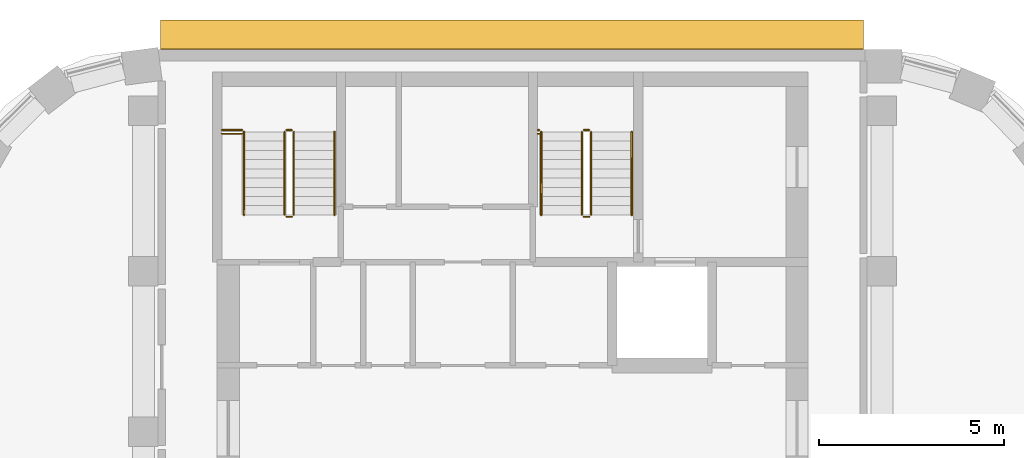
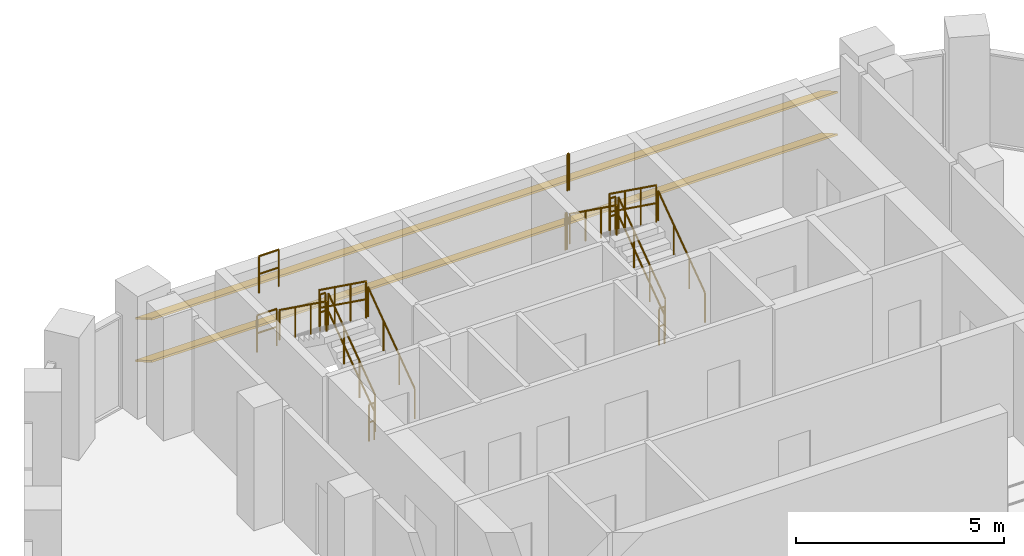
# One storey, part 15 of 15: 16 railings, 2 shading devices.
"""IFC4 building model written with IfcOpenShell, lengths in metres."""

from ifc_helpers import new_model, si_unit, direction, frame, origin, origin_2d, place, context, subcontext, project, spatial, rectangle, circle, extrude, material, material_profile, profile_set, type_object, element, save


model = new_model("IFC4")

# Units and contexts
model_context = context("Model", 3, precision=1e-05, world=origin(), true_north=direction((0.0, 1.0)))
body_context = subcontext(model_context, "Body", "Model", "MODEL_VIEW")
ifc_project = project(units=[si_unit("LENGTHUNIT", "METRE"), si_unit("AREAUNIT", "SQUARE_METRE"), si_unit("VOLUMEUNIT", "CUBIC_METRE"), si_unit("PLANEANGLEUNIT", "RADIAN"), si_unit("MASSUNIT", "GRAM", prefix="KILO")], contexts=[model_context])

# Site, building, storey
site_placement = place(None, origin())
site = spatial("IfcSite", under=ifc_project, at=site_placement, CompositionType="ELEMENT")
building_placement = place(site_placement, origin())
building = spatial("IfcBuilding", under=site, at=building_placement, Name="Nakaniwa Court", CompositionType="ELEMENT")
storey_placement = place(building_placement, frame((0.0, 0.0, 283.199951171875)))
storey = spatial("IfcBuildingStorey", under=building, at=storey_placement, Name="C04", CompositionType="ELEMENT", Elevation=283.199951171875)

# Shading devices
ifc_material_1 = material(Name="Perforated charcoal ceramic louvre blade")
ifc_material_profile = material_profile(ifc_material_1, rectangle(XDim=0.89990234375, YDim=0.050048828125, at=origin_2d()), Name="Perforated ceramic louvre blade")
ifc_profile_set = profile_set([ifc_material_profile], Name="Perforated charcoal ceramic louvre blade")
shading_device_type = type_object("IfcShadingDeviceType", Name="Perforated ceramic louvre blade", PredefinedType="JALOUSIE", material=ifc_profile_set)
for number, where, z_axis, x_axis, name in (
    (1, (89.499267578125, 103.05224609375, 0.550048828125), (-1.0, 0.0, 0.0), (0.0, -0.866025403784, 0.5), "C04 perforated ceramic louvre blade w23 1"),
    (2, (89.499267578125, 103.05224609375, 1.79345703125), (-1.0, 0.0, 0.0), (0.0, -0.866025403784, 0.5), "C04 perforated ceramic louvre blade w23 2"),
):
    element("IfcShadingDevice", number, at=place(storey_placement, frame(where, z_axis=z_axis, x_axis=x_axis)), inside=storey, type_object=shading_device_type, Name=name, PredefinedType="JALOUSIE", context=body_context, shape_type="SweptSolid", body=[
        extrude(rectangle(XDim=0.89990234375, YDim=0.050048828125, at=origin_2d()), origin(), (0.0, 0.0, 1.0), 19.03369140625),
    ])

# Railings
ifc_material_2 = material(Name="Black powder coated steel guard", Category="steel")
railing_type_1 = type_object("IfcRailingType", Name="Stair guard 1100", PredefinedType="GUARDRAIL", material=ifc_material_2)
railing_1_placement = place(storey_placement, frame((74.074951171875, 98.175048828125, 0.179931640625)))
element("IfcRailing", 3, at=railing_1_placement, inside=storey, type_object=railing_type_1, Name="C04 ST1 stair guard 1", PredefinedType="GUARDRAIL", context=body_context, shape_type="SweptSolid", body=[
    extrude(circle(Radius=0.02392578125, at=origin_2d()), frame((0.0, 0.0, 1.076171875), z_axis=(0.0, 0.811514298965, 0.584332561625), x_axis=(-1.0, 0.0, 0.0)), (0.0, 0.0, 1.0), 2.772705078125),
    extrude(circle(Radius=0.02392578125, at=origin_2d()), frame((0.0, 0.0, 0.550048828125), z_axis=(0.0, 0.811514298965, 0.584332561625), x_axis=(-1.0, 0.0, 0.0)), (0.0, 0.0, 1.0), 2.772705078125),
    extrude(circle(Radius=0.02099609375, at=origin_2d()), origin(), (0.0, 0.0, 1.0), 1.052001953125),
    extrude(circle(Radius=0.02099609375, at=origin_2d()), frame((0.0, 0.75, 0.5400390625)), (0.0, 0.0, 1.0), 1.052001953125),
    extrude(circle(Radius=0.02099609375, at=origin_2d()), frame((0.0, 1.5, 1.080078125)), (0.0, 0.0, 1.0), 1.052001953125),
    extrude(circle(Radius=0.02099609375, at=origin_2d()), frame((0.0, 2.25, 1.6201171875)), (0.0, 0.0, 1.0), 1.052001953125),
])
railing_2_placement = place(storey_placement, frame((74.02490234375, 100.47509765625, 1.800048828125)))
element("IfcRailing", 4, at=railing_2_placement, inside=storey, type_object=railing_type_1, Name="C04 ST1 stair guard 2", PredefinedType="GUARDRAIL", context=body_context, shape_type="SweptSolid", body=[
    extrude(circle(Radius=0.02392578125, at=origin_2d()), frame((0.0, 0.0, 1.076171875), z_axis=(-1.0, 0.0, 0.0), x_axis=(0.0, -1.0, 0.0)), (0.0, 0.0, 1.0), 0.14990234375),
    extrude(circle(Radius=0.02392578125, at=origin_2d()), frame((0.0, 0.0, 0.550048828125), z_axis=(-1.0, 0.0, 0.0), x_axis=(0.0, -1.0, 0.0)), (0.0, 0.0, 1.0), 0.14990234375),
    extrude(circle(Radius=0.02099609375, at=origin_2d()), origin(), (0.0, 0.0, 1.0), 1.052001953125),
    extrude(circle(Radius=0.02099609375, at=origin_2d()), frame((-0.14990234375, 0.0, 0.0)), (0.0, 0.0, 1.0), 1.052001953125),
])
railing_3_placement = place(storey_placement, frame((73.824951171875, 100.425048828125, 1.97998046875)))
element("IfcRailing", 5, at=railing_3_placement, inside=storey, type_object=railing_type_1, Name="C04 ST1 stair guard 3", PredefinedType="GUARDRAIL", context=body_context, shape_type="SweptSolid", body=[
    extrude(circle(Radius=0.02392578125, at=origin_2d()), frame((0.0, 0.0, 1.076171875), z_axis=(0.0, -0.811514298965, 0.584332561625), x_axis=(1.0, 0.0, 0.0)), (0.0, 0.0, 1.0), 2.772705078125),
    extrude(circle(Radius=0.02392578125, at=origin_2d()), frame((0.0, 0.0, 0.550048828125), z_axis=(0.0, -0.811514298965, 0.584332561625), x_axis=(1.0, 0.0, 0.0)), (0.0, 0.0, 1.0), 2.772705078125),
    extrude(circle(Radius=0.02099609375, at=origin_2d()), origin(), (0.0, 0.0, 1.0), 1.052001953125),
    extrude(circle(Radius=0.02099609375, at=origin_2d()), frame((0.0, -0.75, 0.5400390625)), (0.0, 0.0, 1.0), 1.052001953125),
    extrude(circle(Radius=0.02099609375, at=origin_2d()), frame((0.0, -1.5, 1.080078125)), (0.0, 0.0, 1.0), 1.052001953125),
    extrude(circle(Radius=0.02099609375, at=origin_2d()), frame((0.0, -2.25, 1.6201171875)), (0.0, 0.0, 1.0), 1.052001953125),
])
railing_4_placement = place(storey_placement, frame((74.02490234375, 98.125, 0.0)))
element("IfcRailing", 6, at=railing_4_placement, inside=storey, type_object=railing_type_1, Name="C04 ST1 stair guard 4", PredefinedType="GUARDRAIL", context=body_context, shape_type="SweptSolid", body=[
    extrude(circle(Radius=0.02392578125, at=origin_2d()), frame((0.0, 0.0, 1.076171875), z_axis=(-1.0, 0.0, 0.0), x_axis=(0.0, -1.0, 0.0)), (0.0, 0.0, 1.0), 0.14990234375),
    extrude(circle(Radius=0.02392578125, at=origin_2d()), frame((0.0, 0.0, 0.550048828125), z_axis=(-1.0, 0.0, 0.0), x_axis=(0.0, -1.0, 0.0)), (0.0, 0.0, 1.0), 0.14990234375),
    extrude(circle(Radius=0.02099609375, at=origin_2d()), origin(), (0.0, 0.0, 1.0), 1.052001953125),
    extrude(circle(Radius=0.02099609375, at=origin_2d()), frame((-0.14990234375, 0.0, 0.0)), (0.0, 0.0, 1.0), 1.052001953125),
])
for number, where, name in (
    (7, (72.125, 100.47509765625, 1.800048828125), "C04 ST1 landing side guard 1W"),
    (8, (72.125, 100.375, 3.60009765625), "C04 ST1 floor edge guard 1W"),
):
    element("IfcRailing", number, at=place(storey_placement, frame(where)), inside=storey, type_object=railing_type_1, Name=name, PredefinedType="GUARDRAIL", context=body_context, shape_type="SweptSolid", body=[
        extrude(circle(Radius=0.02392578125, at=origin_2d()), frame((0.0, 0.0, 1.076171875), z_axis=(1.0, 0.0, 0.0), x_axis=(0.0, 1.0, 0.0)), (0.0, 0.0, 1.0), 0.550048828125),
        extrude(circle(Radius=0.02392578125, at=origin_2d()), frame((0.0, 0.0, 0.550048828125), z_axis=(1.0, 0.0, 0.0), x_axis=(0.0, 1.0, 0.0)), (0.0, 0.0, 1.0), 0.550048828125),
        extrude(circle(Radius=0.02099609375, at=origin_2d()), origin(), (0.0, 0.0, 1.0), 1.052001953125),
        extrude(circle(Radius=0.02099609375, at=origin_2d()), frame((0.550048828125, 0.0, 0.0)), (0.0, 0.0, 1.0), 1.052001953125),
    ])
railing_5_placement = place(storey_placement, frame((82.125, 98.175048828125, 0.179931640625)))
element("IfcRailing", 9, at=railing_5_placement, inside=storey, type_object=railing_type_1, Name="C04 ST2 stair guard 1", PredefinedType="GUARDRAIL", context=body_context, shape_type="SweptSolid", body=[
    extrude(circle(Radius=0.02392578125, at=origin_2d()), frame((0.0, 0.0, 1.076171875), z_axis=(0.0, 0.811514298965, 0.584332561625), x_axis=(-1.0, 0.0, 0.0)), (0.0, 0.0, 1.0), 2.772705078125),
    extrude(circle(Radius=0.02392578125, at=origin_2d()), frame((0.0, 0.0, 0.550048828125), z_axis=(0.0, 0.811514298965, 0.584332561625), x_axis=(-1.0, 0.0, 0.0)), (0.0, 0.0, 1.0), 2.772705078125),
    extrude(circle(Radius=0.02099609375, at=origin_2d()), origin(), (0.0, 0.0, 1.0), 1.052001953125),
    extrude(circle(Radius=0.02099609375, at=origin_2d()), frame((0.0, 0.75, 0.5400390625)), (0.0, 0.0, 1.0), 1.052001953125),
    extrude(circle(Radius=0.02099609375, at=origin_2d()), frame((0.0, 1.5, 1.080078125)), (0.0, 0.0, 1.0), 1.052001953125),
    extrude(circle(Radius=0.02099609375, at=origin_2d()), frame((0.0, 2.25, 1.6201171875)), (0.0, 0.0, 1.0), 1.052001953125),
])
railing_6_placement = place(storey_placement, frame((82.074951171875, 100.47509765625, 1.800048828125)))
element("IfcRailing", 10, at=railing_6_placement, inside=storey, type_object=railing_type_1, Name="C04 ST2 stair guard 2", PredefinedType="GUARDRAIL", context=body_context, shape_type="SweptSolid", body=[
    extrude(circle(Radius=0.02392578125, at=origin_2d()), frame((0.0, 0.0, 1.076171875), z_axis=(-1.0, 0.0, 0.0), x_axis=(0.0, -1.0, 0.0)), (0.0, 0.0, 1.0), 0.14990234375),
    extrude(circle(Radius=0.02392578125, at=origin_2d()), frame((0.0, 0.0, 0.550048828125), z_axis=(-1.0, 0.0, 0.0), x_axis=(0.0, -1.0, 0.0)), (0.0, 0.0, 1.0), 0.14990234375),
    extrude(circle(Radius=0.02099609375, at=origin_2d()), origin(), (0.0, 0.0, 1.0), 1.052001953125),
    extrude(circle(Radius=0.02099609375, at=origin_2d()), frame((-0.14990234375, 0.0, 0.0)), (0.0, 0.0, 1.0), 1.052001953125),
])
railing_7_placement = place(storey_placement, frame((81.875, 100.425048828125, 1.97998046875)))
element("IfcRailing", 11, at=railing_7_placement, inside=storey, type_object=railing_type_1, Name="C04 ST2 stair guard 3", PredefinedType="GUARDRAIL", context=body_context, shape_type="SweptSolid", body=[
    extrude(circle(Radius=0.02392578125, at=origin_2d()), frame((0.0, 0.0, 1.076171875), z_axis=(0.0, -0.811514298965, 0.584332561625), x_axis=(1.0, 0.0, 0.0)), (0.0, 0.0, 1.0), 2.772705078125),
    extrude(circle(Radius=0.02392578125, at=origin_2d()), frame((0.0, 0.0, 0.550048828125), z_axis=(0.0, -0.811514298965, 0.584332561625), x_axis=(1.0, 0.0, 0.0)), (0.0, 0.0, 1.0), 2.772705078125),
    extrude(circle(Radius=0.02099609375, at=origin_2d()), origin(), (0.0, 0.0, 1.0), 1.052001953125),
    extrude(circle(Radius=0.02099609375, at=origin_2d()), frame((0.0, -0.75, 0.5400390625)), (0.0, 0.0, 1.0), 1.052001953125),
    extrude(circle(Radius=0.02099609375, at=origin_2d()), frame((0.0, -1.5, 1.080078125)), (0.0, 0.0, 1.0), 1.052001953125),
    extrude(circle(Radius=0.02099609375, at=origin_2d()), frame((0.0, -2.25, 1.6201171875)), (0.0, 0.0, 1.0), 1.052001953125),
])
railing_8_placement = place(storey_placement, frame((82.074951171875, 98.125, 0.0)))
element("IfcRailing", 12, at=railing_8_placement, inside=storey, type_object=railing_type_1, Name="C04 ST2 stair guard 4", PredefinedType="GUARDRAIL", context=body_context, shape_type="SweptSolid", body=[
    extrude(circle(Radius=0.02392578125, at=origin_2d()), frame((0.0, 0.0, 1.076171875), z_axis=(-1.0, 0.0, 0.0), x_axis=(0.0, -1.0, 0.0)), (0.0, 0.0, 1.0), 0.14990234375),
    extrude(circle(Radius=0.02392578125, at=origin_2d()), frame((0.0, 0.0, 0.550048828125), z_axis=(-1.0, 0.0, 0.0), x_axis=(0.0, -1.0, 0.0)), (0.0, 0.0, 1.0), 0.14990234375),
    extrude(circle(Radius=0.02099609375, at=origin_2d()), origin(), (0.0, 0.0, 1.0), 1.052001953125),
    extrude(circle(Radius=0.02099609375, at=origin_2d()), frame((-0.14990234375, 0.0, 0.0)), (0.0, 0.0, 1.0), 1.052001953125),
])
for number, where, name in (
    (13, (80.675048828125, 100.47509765625, 1.800048828125), "C04 ST2 landing side guard 1W"),
    (14, (80.675048828125, 100.375, 3.60009765625), "C04 ST2 floor edge guard 1W"),
):
    element("IfcRailing", number, at=place(storey_placement, frame(where)), inside=storey, type_object=railing_type_1, Name=name, PredefinedType="GUARDRAIL", context=body_context, shape_type="SweptSolid", body=[
        extrude(circle(Radius=0.02392578125, at=origin_2d()), frame((0.0, 0.0, 1.076171875), z_axis=(1.0, 0.0, 0.0), x_axis=(0.0, 1.0, 0.0)), (0.0, 0.0, 1.0), 0.050048828125),
        extrude(circle(Radius=0.02392578125, at=origin_2d()), frame((0.0, 0.0, 0.550048828125), z_axis=(1.0, 0.0, 0.0), x_axis=(0.0, 1.0, 0.0)), (0.0, 0.0, 1.0), 0.050048828125),
        extrude(circle(Radius=0.02099609375, at=origin_2d()), origin(), (0.0, 0.0, 1.0), 1.052001953125),
        extrude(circle(Radius=0.02099609375, at=origin_2d()), frame((0.050048828125, 0.0, 0.0)), (0.0, 0.0, 1.0), 1.052001953125),
    ])
ifc_material_3 = material(Name="Black powder coated steel handrail", Category="steel")
railing_type_2 = type_object("IfcRailingType", Name="Stair handrail 900", PredefinedType="HANDRAIL", material=ifc_material_3)
railing_9_placement = place(storey_placement, frame((75.175048828125, 98.175048828125, 0.179931640625)))
element("IfcRailing", 15, at=railing_9_placement, inside=storey, type_object=railing_type_2, Name="C04 ST1 stair handrail 1", PredefinedType="HANDRAIL", context=body_context, shape_type="SweptSolid", body=[
    extrude(circle(Radius=0.02392578125, at=origin_2d()), frame((0.0, 0.0, 0.8759765625), z_axis=(0.0, 0.811514298965, 0.584332561625), x_axis=(-1.0, 0.0, 0.0)), (0.0, 0.0, 1.0), 2.772705078125),
    extrude(circle(Radius=0.02099609375, at=origin_2d()), origin(), (0.0, 0.0, 1.0), 0.851806640625),
    extrude(circle(Radius=0.02099609375, at=origin_2d()), frame((0.0, 0.75, 0.5400390625)), (0.0, 0.0, 1.0), 0.851806640625),
    extrude(circle(Radius=0.02099609375, at=origin_2d()), frame((0.0, 1.5, 1.080078125)), (0.0, 0.0, 1.0), 0.851806640625),
    extrude(circle(Radius=0.02099609375, at=origin_2d()), frame((0.0, 2.25, 1.6201171875)), (0.0, 0.0, 1.0), 0.851806640625),
])
railing_10_placement = place(storey_placement, frame((72.72509765625, 100.425048828125, 1.97998046875)))
element("IfcRailing", 16, at=railing_10_placement, inside=storey, type_object=railing_type_2, Name="C04 ST1 stair handrail 2", PredefinedType="HANDRAIL", context=body_context, shape_type="SweptSolid", body=[
    extrude(circle(Radius=0.02392578125, at=origin_2d()), frame((0.0, 0.0, 0.8759765625), z_axis=(0.0, -0.811514298965, 0.584332561625), x_axis=(1.0, 0.0, 0.0)), (0.0, 0.0, 1.0), 2.772705078125),
    extrude(circle(Radius=0.02099609375, at=origin_2d()), origin(), (0.0, 0.0, 1.0), 0.851806640625),
    extrude(circle(Radius=0.02099609375, at=origin_2d()), frame((0.0, -0.75, 0.5400390625)), (0.0, 0.0, 1.0), 0.851806640625),
    extrude(circle(Radius=0.02099609375, at=origin_2d()), frame((0.0, -1.5, 1.080078125)), (0.0, 0.0, 1.0), 0.851806640625),
    extrude(circle(Radius=0.02099609375, at=origin_2d()), frame((0.0, -2.25, 1.6201171875)), (0.0, 0.0, 1.0), 0.851806640625),
])
railing_11_placement = place(storey_placement, frame((83.22509765625, 98.175048828125, 0.179931640625)))
element("IfcRailing", 17, at=railing_11_placement, inside=storey, type_object=railing_type_2, Name="C04 ST2 stair handrail 1", PredefinedType="HANDRAIL", context=body_context, shape_type="SweptSolid", body=[
    extrude(circle(Radius=0.02392578125, at=origin_2d()), frame((0.0, 0.0, 0.8759765625), z_axis=(0.0, 0.811514298965, 0.584332561625), x_axis=(-1.0, 0.0, 0.0)), (0.0, 0.0, 1.0), 2.772705078125),
    extrude(circle(Radius=0.02099609375, at=origin_2d()), origin(), (0.0, 0.0, 1.0), 0.851806640625),
    extrude(circle(Radius=0.02099609375, at=origin_2d()), frame((0.0, 0.75, 0.5400390625)), (0.0, 0.0, 1.0), 0.851806640625),
    extrude(circle(Radius=0.02099609375, at=origin_2d()), frame((0.0, 1.5, 1.080078125)), (0.0, 0.0, 1.0), 0.851806640625),
    extrude(circle(Radius=0.02099609375, at=origin_2d()), frame((0.0, 2.25, 1.6201171875)), (0.0, 0.0, 1.0), 0.851806640625),
])
railing_12_placement = place(storey_placement, frame((80.77490234375, 100.425048828125, 1.97998046875)))
element("IfcRailing", 18, at=railing_12_placement, inside=storey, type_object=railing_type_2, Name="C04 ST2 stair handrail 2", PredefinedType="HANDRAIL", context=body_context, shape_type="SweptSolid", body=[
    extrude(circle(Radius=0.02392578125, at=origin_2d()), frame((0.0, 0.0, 0.8759765625), z_axis=(0.0, -0.811514298965, 0.584332561625), x_axis=(1.0, 0.0, 0.0)), (0.0, 0.0, 1.0), 2.772705078125),
    extrude(circle(Radius=0.02099609375, at=origin_2d()), origin(), (0.0, 0.0, 1.0), 0.851806640625),
    extrude(circle(Radius=0.02099609375, at=origin_2d()), frame((0.0, -0.75, 0.5400390625)), (0.0, 0.0, 1.0), 0.851806640625),
    extrude(circle(Radius=0.02099609375, at=origin_2d()), frame((0.0, -1.5, 1.080078125)), (0.0, 0.0, 1.0), 0.851806640625),
    extrude(circle(Radius=0.02099609375, at=origin_2d()), frame((0.0, -2.25, 1.6201171875)), (0.0, 0.0, 1.0), 0.851806640625),
])

save(model, "model.ifc")
